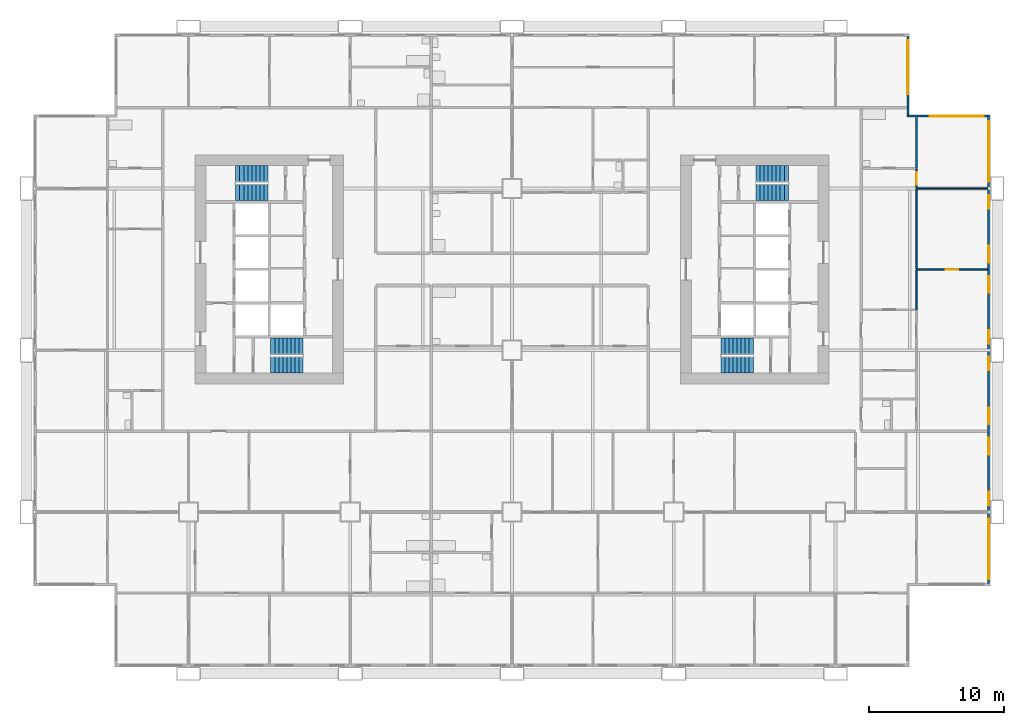
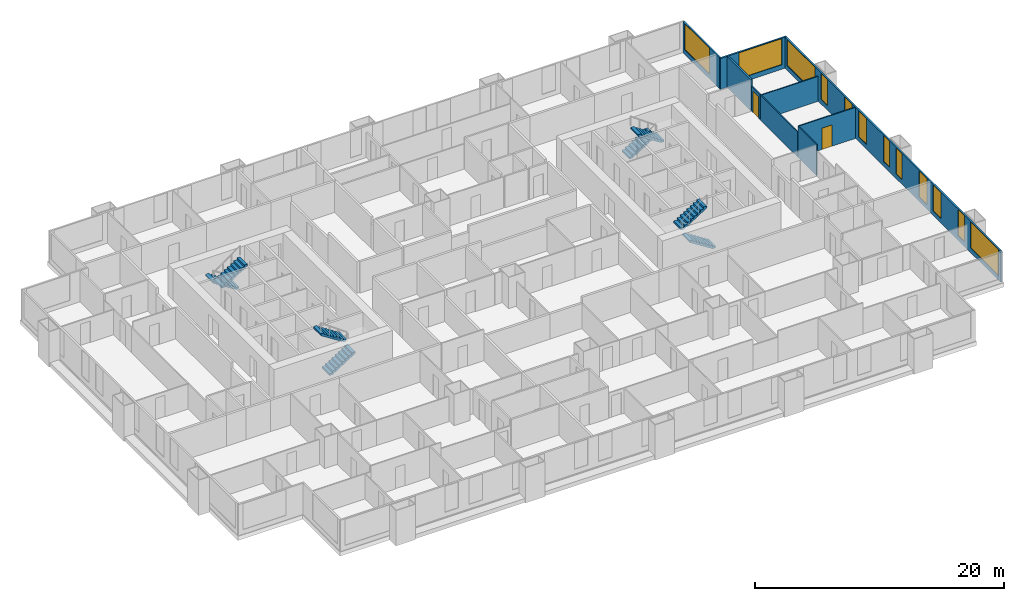
# One storey, part 12 of 14: 12 windows, 9 walls, 8 stair flights, 2 doors, 14 openings, 4 elements without a shape of their own.
"""IFC4 building model written with IfcOpenShell, lengths in metres."""

from ifc_helpers import new_model, si_unit, direction, frame, frame_2d, origin, place, context, subcontext, project, spatial, polyline, rectangle, outline, extrude, material, layer, layer_set, type_object, element, fill, aggregate, save


model = new_model("IFC4")

# Units and contexts
model_context = context("Model", 3, precision=1e-05, world=origin(), true_north=direction((0.0, 1.0)))
body_context = subcontext(model_context, "Body", "Model", "MODEL_VIEW")
ifc_project = project(units=[si_unit("LENGTHUNIT", "METRE"), si_unit("AREAUNIT", "SQUARE_METRE"), si_unit("VOLUMEUNIT", "CUBIC_METRE"), si_unit("PLANEANGLEUNIT", "RADIAN"), si_unit("MASSUNIT", "GRAM", prefix="KILO")], contexts=[model_context])

# Site, building, storey
site_placement = place(None, origin())
site = spatial("IfcSite", under=ifc_project, at=site_placement, CompositionType="ELEMENT")
building_placement = place(site_placement, origin())
building = spatial("IfcBuilding", under=site, at=building_placement, Name="Kitamizu Gate Tower and Museum", CompositionType="ELEMENT")
storey_placement = place(building_placement, frame((0.0, 0.0, 43.800048828125)))
storey = spatial("IfcBuildingStorey", under=building, at=storey_placement, Name="L09", CompositionType="ELEMENT", Elevation=43.800048828125)

# Wall, opening, door
ifc_material_1 = material(Name="Gypsum board on galvanised stud")
ifc_layer_1 = layer(ifc_material_1, 0.10009765625)
ifc_layer_set_1 = layer_set([ifc_layer_1], Name="Gypsum board on galvanised stud")
wall_type_1 = type_object("IfcWallType", Name="Partition 100 NOT RATED", PredefinedType="PARTITIONING", material=ifc_layer_set_1)
wall_1_placement = place(storey_placement, frame((71.280029296875, 30.0, 0.0), z_axis=(0.0, 0.0, 1.0), x_axis=(-1.0, 0.0, 0.0)))
wall_1 = element("IfcWall", 1, at=wall_1_placement, inside=storey, type_object=wall_type_1, Name="Partition L09-191", PredefinedType="PARTITIONING", context=body_context, shape_type="SweptSolid", body=[
    extrude(rectangle(XDim=5.280029296875, YDim=0.10009765625, at=frame_2d((2.64013671875, 0.0))), origin(), (0.0, 0.0, 1.0), 3.050048828125),
])
opening_1_placement = place(wall_1_placement, frame((2.18994140625, 0.0, 0.0)))
opening_1 = element("IfcOpeningElement", 2, at=opening_1_placement, cuts=wall_1, Name="Opening L09-072", PredefinedType="OPENING", context=body_context, shape_type="SweptSolid", body=[
    extrude(rectangle(XDim=0.89990234375, YDim=2.10009765625, at=frame_2d((0.449951171875, 1.050048828125))), frame((0.0, 0.06005859375, 0.0), z_axis=(0.0, -1.0, 0.0), x_axis=(1.0, 0.0, 0.0)), (0.0, 0.0, 1.0), 0.1201171875),
])
ifc_material_2 = material(Name="Timber door set", Category="wood")
door_type = type_object("IfcDoorType", Name="Room door 900", OperationType="NOTDEFINED", PredefinedType="DOOR", material=ifc_material_2)
door_1_placement = place(opening_1_placement, frame((0.89990234375, 0.0, 0.0), x_axis=(-1.0, 0.0, 0.0)))
door_1 = element("IfcDoor", 3, at=door_1_placement, inside=storey, type_object=door_type, Name="Door L09-072", OperationType="SINGLE_SWING_LEFT", OverallHeight=2.10009765625, OverallWidth=0.89990234375, PredefinedType="DOOR", context=body_context, shape_type="SweptSolid", body=[
    extrude(rectangle(XDim=0.89990234375, YDim=2.10009765625, at=frame_2d((0.449951171875, 1.050048828125))), frame((0.0, 0.02490234375, 0.0), z_axis=(0.0, -1.0, 0.0), x_axis=(1.0, 0.0, 0.0)), (0.0, 0.0, 1.0), 0.050048828125),
])
fill(opening_1, door_1)

# Walls
wall_2_placement = place(storey_placement, frame((66.0, 29.949951171875, 0.0), z_axis=(0.0, 0.0, 1.0), x_axis=(0.0, -1.0, 0.0)))
element("IfcWall", 4, at=wall_2_placement, inside=storey, type_object=wall_type_1, Name="Partition L09-196", PredefinedType="PARTITIONING", context=body_context, shape_type="SweptSolid", body=[
    extrude(rectangle(XDim=2.949951171875, YDim=0.10009765625, at=frame_2d((1.47509765625, 0.0))), origin(), (0.0, 0.0, 1.0), 3.050048828125),
])
wall_3_placement = place(storey_placement, frame((71.280029296875, 36.0, 0.0), z_axis=(0.0, 0.0, 1.0), x_axis=(-1.0, 0.0, 0.0)))
element("IfcWall", 5, at=wall_3_placement, inside=storey, type_object=wall_type_1, Name="Partition L09-197", PredefinedType="PARTITIONING", context=body_context, shape_type="SweptSolid", body=[
    extrude(rectangle(XDim=5.280029296875, YDim=0.10009765625, at=frame_2d((2.64013671875, 0.0))), origin(), (0.0, 0.0, 1.0), 2.449951171875),
])
wall_4_placement = place(storey_placement, frame((66.0, 35.949951171875, 0.0), z_axis=(0.0, 0.0, 1.0), x_axis=(0.0, -1.0, 0.0)))
element("IfcWall", 6, at=wall_4_placement, inside=storey, type_object=wall_type_1, Name="Partition L09-198", PredefinedType="PARTITIONING", context=body_context, shape_type="SweptSolid", body=[
    extrude(rectangle(XDim=5.89990234375, YDim=0.10009765625, at=frame_2d((2.949951171875, 0.0))), origin(), (0.0, 0.0, 1.0), 2.449951171875),
])

# Wall, opening, door
wall_5_placement = place(storey_placement, frame((66.0, 37.425048828125, 0.0), z_axis=(0.0, 0.0, 1.0), x_axis=(0.0, -1.0, 0.0)))
wall_5 = element("IfcWall", 7, at=wall_5_placement, inside=storey, type_object=wall_type_1, Name="Partition L09-199", PredefinedType="PARTITIONING", context=body_context, shape_type="SweptSolid", body=[
    extrude(rectangle(XDim=1.375, YDim=0.10009765625, at=frame_2d((0.6875, 0.0))), origin(), (0.0, 0.0, 1.0), 2.449951171875),
])
opening_2_placement = place(wall_5_placement, frame((0.237548828125, 0.0, 0.0)))
opening_2 = element("IfcOpeningElement", 8, at=opening_2_placement, cuts=wall_5, Name="Opening L09-073", PredefinedType="OPENING", context=body_context, shape_type="SweptSolid", body=[
    extrude(rectangle(XDim=0.89990234375, YDim=2.10009765625, at=frame_2d((0.449951171875, 1.050048828125))), frame((0.0, 0.06005859375, 0.0), z_axis=(0.0, -1.0, 0.0), x_axis=(1.0, 0.0, 0.0)), (0.0, 0.0, 1.0), 0.1201171875),
])
door_2_placement = place(opening_2_placement, origin())
door_2 = element("IfcDoor", 9, at=door_2_placement, inside=storey, type_object=door_type, Name="Door L09-073", OperationType="SINGLE_SWING_LEFT", OverallHeight=2.10009765625, OverallWidth=0.89990234375, PredefinedType="DOOR", context=body_context, shape_type="SweptSolid", body=[
    extrude(rectangle(XDim=0.89990234375, YDim=2.10009765625, at=frame_2d((0.449951171875, 1.050048828125))), frame((0.0, 0.02490234375, 0.0), z_axis=(0.0, -1.0, 0.0), x_axis=(1.0, 0.0, 0.0)), (0.0, 0.0, 1.0), 0.050048828125),
])
fill(opening_2, door_2)

# Wall
ifc_material_3 = material(Name="Gypsum board on galvanised stud")
ifc_layer_2 = layer(ifc_material_3, 0.14990234375)
ifc_layer_set_2 = layer_set([ifc_layer_2], Name="Gypsum board on galvanised stud")
wall_type_2 = type_object("IfcWallType", Name="Partition 150", PredefinedType="PARTITIONING", material=ifc_layer_set_2)
wall_6_placement = place(storey_placement, frame((66.0, 41.280029296875, 0.0), z_axis=(0.0, 0.0, 1.0), x_axis=(0.0, -1.0, 0.0)))
element("IfcWall", 10, at=wall_6_placement, inside=storey, type_object=wall_type_2, Name="Partition L09-200", PredefinedType="PARTITIONING", context=body_context, shape_type="SweptSolid", body=[
    extrude(rectangle(XDim=3.780029296875, YDim=0.14990234375, at=frame_2d((1.89013671875, 0.0))), origin(), (0.0, 0.0, 1.0), 3.050048828125),
])

# Wall, openings, windows
ifc_material_4 = material(Name="Bronze anodised aluminium frame with insulated spandrel and tinted glass", Category="aluminium")
ifc_layer_3 = layer(ifc_material_4, 0.14990234375)
ifc_layer_set_3 = layer_set([ifc_layer_3], Name="Bronze anodised aluminium frame with insulated spandrel and tinted glass")
wall_type_3 = type_object("IfcWallType", Name="WINDOW WALL 150 BRONZE FRAME EI 30", PredefinedType="ELEMENTEDWALL", material=ifc_layer_set_3)
wall_7_placement = place(storey_placement, frame((71.364990234375, 6.7099609375, 0.0), z_axis=(0.0, 0.0, 1.0), x_axis=(0.0, 1.0, 0.0)))
wall_7 = element("IfcWall", 11, at=wall_7_placement, inside=storey, type_object=wall_type_3, Name="Window wall east L09", PredefinedType="ELEMENTEDWALL", context=body_context, shape_type="SweptSolid", body=[
    extrude(rectangle(XDim=34.580078125, YDim=0.14990234375, at=frame_2d((17.2900390625, 0.0))), origin(), (0.0, 0.0, 1.0), 3.050048828125),
])
opening_3_placement = place(wall_7_placement, frame((0.2900390625, 0.0, 0.449951171875)))
opening_3 = element("IfcOpeningElement", 12, at=opening_3_placement, cuts=wall_7, Name="Opening W15", PredefinedType="OPENING", context=body_context, shape_type="SweptSolid", body=[
    extrude(rectangle(XDim=4.5, YDim=2.550048828125, at=frame_2d((2.25, 1.27490234375))), frame((0.0, 0.0849609375, 0.0), z_axis=(0.0, -1.0, 0.0), x_axis=(1.0, 0.0, 0.0)), (0.0, 0.0, 1.0), 0.169921875),
])
opening_4_placement = place(wall_7_placement, frame((5.7900390625, 0.0, 0.449951171875)))
opening_4 = element("IfcOpeningElement", 13, at=opening_4_placement, cuts=wall_7, Name="Opening W26", PredefinedType="OPENING", context=body_context, shape_type="SweptSolid", body=[
    extrude(rectangle(XDim=1.0, YDim=2.550048828125, at=frame_2d((0.5, 1.27490234375))), frame((0.0, 0.0849609375, 0.0), z_axis=(0.0, -1.0, 0.0), x_axis=(1.0, 0.0, 0.0)), (0.0, 0.0, 1.0), 0.169921875),
])
opening_5_placement = place(wall_7_placement, frame((9.5400390625, 0.0, 0.449951171875)))
opening_5 = element("IfcOpeningElement", 14, at=opening_5_placement, cuts=wall_7, Name="Opening W27", PredefinedType="OPENING", context=body_context, shape_type="SweptSolid", body=[
    extrude(rectangle(XDim=1.25, YDim=2.550048828125, at=frame_2d((0.625, 1.27490234375))), frame((0.0, 0.0849609375, 0.0), z_axis=(0.0, -1.0, 0.0), x_axis=(1.0, 0.0, 0.0)), (0.0, 0.0, 1.0), 0.169921875),
])
opening_6_placement = place(wall_7_placement, frame((11.7900390625, 0.0, 0.449951171875)))
opening_6 = element("IfcOpeningElement", 15, at=opening_6_placement, cuts=wall_7, Name="Opening W27", PredefinedType="OPENING", context=body_context, shape_type="SweptSolid", body=[
    extrude(rectangle(XDim=1.25, YDim=2.550048828125, at=frame_2d((0.625, 1.27490234375))), frame((0.0, 0.0849609375, 0.0), z_axis=(0.0, -1.0, 0.0), x_axis=(1.0, 0.0, 0.0)), (0.0, 0.0, 1.0), 0.169921875),
])
opening_7_placement = place(wall_7_placement, frame((15.7900390625, 0.0, 0.449951171875)))
opening_7 = element("IfcOpeningElement", 16, at=opening_7_placement, cuts=wall_7, Name="Opening W26", PredefinedType="OPENING", context=body_context, shape_type="SweptSolid", body=[
    extrude(rectangle(XDim=1.0, YDim=2.550048828125, at=frame_2d((0.5, 1.27490234375))), frame((0.0, 0.0849609375, 0.0), z_axis=(0.0, -1.0, 0.0), x_axis=(1.0, 0.0, 0.0)), (0.0, 0.0, 1.0), 0.169921875),
])
opening_8_placement = place(wall_7_placement, frame((17.7900390625, 0.0, 0.449951171875)))
opening_8 = element("IfcOpeningElement", 17, at=opening_8_placement, cuts=wall_7, Name="Opening W26", PredefinedType="OPENING", context=body_context, shape_type="SweptSolid", body=[
    extrude(rectangle(XDim=1.0, YDim=2.550048828125, at=frame_2d((0.5, 1.27490234375))), frame((0.0, 0.0849609375, 0.0), z_axis=(0.0, -1.0, 0.0), x_axis=(1.0, 0.0, 0.0)), (0.0, 0.0, 1.0), 0.169921875),
])
opening_9_placement = place(wall_7_placement, frame((21.5400390625, 0.0, 0.449951171875)))
opening_9 = element("IfcOpeningElement", 18, at=opening_9_placement, cuts=wall_7, Name="Opening W27", PredefinedType="OPENING", context=body_context, shape_type="SweptSolid", body=[
    extrude(rectangle(XDim=1.25, YDim=2.550048828125, at=frame_2d((0.625, 1.27490234375))), frame((0.0, 0.0849609375, 0.0), z_axis=(0.0, -1.0, 0.0), x_axis=(1.0, 0.0, 0.0)), (0.0, 0.0, 1.0), 0.169921875),
])
opening_10_placement = place(wall_7_placement, frame((23.7900390625, 0.0, 0.449951171875)))
opening_10 = element("IfcOpeningElement", 19, at=opening_10_placement, cuts=wall_7, Name="Opening W27", PredefinedType="OPENING", context=body_context, shape_type="SweptSolid", body=[
    extrude(rectangle(XDim=1.25, YDim=2.550048828125, at=frame_2d((0.625, 1.27490234375))), frame((0.0, 0.0849609375, 0.0), z_axis=(0.0, -1.0, 0.0), x_axis=(1.0, 0.0, 0.0)), (0.0, 0.0, 1.0), 0.169921875),
])
opening_11_placement = place(wall_7_placement, frame((27.7900390625, 0.0, 0.449951171875)))
opening_11 = element("IfcOpeningElement", 20, at=opening_11_placement, cuts=wall_7, Name="Opening W26", PredefinedType="OPENING", context=body_context, shape_type="SweptSolid", body=[
    extrude(rectangle(XDim=1.0, YDim=2.550048828125, at=frame_2d((0.5, 1.27490234375))), frame((0.0, 0.0849609375, 0.0), z_axis=(0.0, -1.0, 0.0), x_axis=(1.0, 0.0, 0.0)), (0.0, 0.0, 1.0), 0.169921875),
])
opening_12_placement = place(wall_7_placement, frame((29.7900390625, 0.0, 0.449951171875)))
opening_12 = element("IfcOpeningElement", 21, at=opening_12_placement, cuts=wall_7, Name="Opening W15", PredefinedType="OPENING", context=body_context, shape_type="SweptSolid", body=[
    extrude(rectangle(XDim=4.5, YDim=2.550048828125, at=frame_2d((2.25, 1.27490234375))), frame((0.0, 0.0849609375, 0.0), z_axis=(0.0, -1.0, 0.0), x_axis=(1.0, 0.0, 0.0)), (0.0, 0.0, 1.0), 0.169921875),
])
ifc_material_5 = material(Name="Bronze anodised aluminium frame, tinted triple glazing", Category="aluminium")
window_type_1 = type_object("IfcWindowType", Name="WINDOW 1000 x 2550 SILL 450", PartitioningType="SINGLE_PANEL", PredefinedType="WINDOW", material=ifc_material_5)
window_1_placement = place(opening_4_placement, origin())
window_1 = element("IfcWindow", 22, at=window_1_placement, inside=storey, type_object=window_type_1, Name="Window W26 L09", OverallHeight=2.550048828125, OverallWidth=1.0, PartitioningType="SINGLE_PANEL", PredefinedType="WINDOW", context=body_context, shape_type="SweptSolid", body=[
    extrude(rectangle(XDim=1.0, YDim=2.550048828125, at=frame_2d((0.5, 1.27490234375))), frame((0.0, 0.030029296875, 0.0), z_axis=(0.0, -1.0, 0.0), x_axis=(1.0, 0.0, 0.0)), (0.0, 0.0, 1.0), 0.06005859375),
])
fill(opening_4, window_1)
window_2_placement = place(opening_7_placement, origin())
window_2 = element("IfcWindow", 23, at=window_2_placement, inside=storey, type_object=window_type_1, Name="Window W26 L09", OverallHeight=2.550048828125, OverallWidth=1.0, PartitioningType="SINGLE_PANEL", PredefinedType="WINDOW", context=body_context, shape_type="SweptSolid", body=[
    extrude(rectangle(XDim=1.0, YDim=2.550048828125, at=frame_2d((0.5, 1.27490234375))), frame((0.0, 0.030029296875, 0.0), z_axis=(0.0, -1.0, 0.0), x_axis=(1.0, 0.0, 0.0)), (0.0, 0.0, 1.0), 0.06005859375),
])
fill(opening_7, window_2)
window_3_placement = place(opening_8_placement, origin())
window_3 = element("IfcWindow", 24, at=window_3_placement, inside=storey, type_object=window_type_1, Name="Window W26 L09", OverallHeight=2.550048828125, OverallWidth=1.0, PartitioningType="SINGLE_PANEL", PredefinedType="WINDOW", context=body_context, shape_type="SweptSolid", body=[
    extrude(rectangle(XDim=1.0, YDim=2.550048828125, at=frame_2d((0.5, 1.27490234375))), frame((0.0, 0.030029296875, 0.0), z_axis=(0.0, -1.0, 0.0), x_axis=(1.0, 0.0, 0.0)), (0.0, 0.0, 1.0), 0.06005859375),
])
fill(opening_8, window_3)
window_4_placement = place(opening_11_placement, origin())
window_4 = element("IfcWindow", 25, at=window_4_placement, inside=storey, type_object=window_type_1, Name="Window W26 L09", OverallHeight=2.550048828125, OverallWidth=1.0, PartitioningType="SINGLE_PANEL", PredefinedType="WINDOW", context=body_context, shape_type="SweptSolid", body=[
    extrude(rectangle(XDim=1.0, YDim=2.550048828125, at=frame_2d((0.5, 1.27490234375))), frame((0.0, 0.030029296875, 0.0), z_axis=(0.0, -1.0, 0.0), x_axis=(1.0, 0.0, 0.0)), (0.0, 0.0, 1.0), 0.06005859375),
])
fill(opening_11, window_4)
ifc_material_6 = material(Name="Bronze anodised aluminium frame, tinted triple glazing", Category="aluminium")
window_type_2 = type_object("IfcWindowType", Name="WINDOW 1250 x 2550 SILL 450", PartitioningType="SINGLE_PANEL", PredefinedType="WINDOW", material=ifc_material_6)
window_5_placement = place(opening_5_placement, origin())
window_5 = element("IfcWindow", 26, at=window_5_placement, inside=storey, type_object=window_type_2, Name="Window W27 L09", OverallHeight=2.550048828125, OverallWidth=1.25, PartitioningType="SINGLE_PANEL", PredefinedType="WINDOW", context=body_context, shape_type="SweptSolid", body=[
    extrude(rectangle(XDim=1.25, YDim=2.550048828125, at=frame_2d((0.625, 1.27490234375))), frame((0.0, 0.030029296875, 0.0), z_axis=(0.0, -1.0, 0.0), x_axis=(1.0, 0.0, 0.0)), (0.0, 0.0, 1.0), 0.06005859375),
])
fill(opening_5, window_5)
window_6_placement = place(opening_6_placement, origin())
window_6 = element("IfcWindow", 27, at=window_6_placement, inside=storey, type_object=window_type_2, Name="Window W27 L09", OverallHeight=2.550048828125, OverallWidth=1.25, PartitioningType="SINGLE_PANEL", PredefinedType="WINDOW", context=body_context, shape_type="SweptSolid", body=[
    extrude(rectangle(XDim=1.25, YDim=2.550048828125, at=frame_2d((0.625, 1.27490234375))), frame((0.0, 0.030029296875, 0.0), z_axis=(0.0, -1.0, 0.0), x_axis=(1.0, 0.0, 0.0)), (0.0, 0.0, 1.0), 0.06005859375),
])
fill(opening_6, window_6)
window_7_placement = place(opening_9_placement, origin())
window_7 = element("IfcWindow", 28, at=window_7_placement, inside=storey, type_object=window_type_2, Name="Window W27 L09", OverallHeight=2.550048828125, OverallWidth=1.25, PartitioningType="SINGLE_PANEL", PredefinedType="WINDOW", context=body_context, shape_type="SweptSolid", body=[
    extrude(rectangle(XDim=1.25, YDim=2.550048828125, at=frame_2d((0.625, 1.27490234375))), frame((0.0, 0.030029296875, 0.0), z_axis=(0.0, -1.0, 0.0), x_axis=(1.0, 0.0, 0.0)), (0.0, 0.0, 1.0), 0.06005859375),
])
fill(opening_9, window_7)
window_8_placement = place(opening_10_placement, origin())
window_8 = element("IfcWindow", 29, at=window_8_placement, inside=storey, type_object=window_type_2, Name="Window W27 L09", OverallHeight=2.550048828125, OverallWidth=1.25, PartitioningType="SINGLE_PANEL", PredefinedType="WINDOW", context=body_context, shape_type="SweptSolid", body=[
    extrude(rectangle(XDim=1.25, YDim=2.550048828125, at=frame_2d((0.625, 1.27490234375))), frame((0.0, 0.030029296875, 0.0), z_axis=(0.0, -1.0, 0.0), x_axis=(1.0, 0.0, 0.0)), (0.0, 0.0, 1.0), 0.06005859375),
])
fill(opening_10, window_8)
ifc_material_7 = material(Name="Bronze anodised aluminium frame, tinted triple glazing", Category="aluminium")
window_type_3 = type_object("IfcWindowType", Name="WINDOW 4500 x 2550 SILL 450", PartitioningType="SINGLE_PANEL", PredefinedType="WINDOW", material=ifc_material_7)
window_9_placement = place(opening_3_placement, origin())
window_9 = element("IfcWindow", 30, at=window_9_placement, inside=storey, type_object=window_type_3, Name="Window W15 L09", OverallHeight=2.550048828125, OverallWidth=4.5, PartitioningType="SINGLE_PANEL", PredefinedType="WINDOW", context=body_context, shape_type="SweptSolid", body=[
    extrude(rectangle(XDim=4.5, YDim=2.550048828125, at=frame_2d((2.25, 1.27490234375))), frame((0.0, 0.030029296875, 0.0), z_axis=(0.0, -1.0, 0.0), x_axis=(1.0, 0.0, 0.0)), (0.0, 0.0, 1.0), 0.06005859375),
])
fill(opening_3, window_9)
window_10_placement = place(opening_12_placement, origin())
window_10 = element("IfcWindow", 31, at=window_10_placement, inside=storey, type_object=window_type_3, Name="Window W15 L09", OverallHeight=2.550048828125, OverallWidth=4.5, PartitioningType="SINGLE_PANEL", PredefinedType="WINDOW", context=body_context, shape_type="SweptSolid", body=[
    extrude(rectangle(XDim=4.5, YDim=2.550048828125, at=frame_2d((2.25, 1.27490234375))), frame((0.0, 0.030029296875, 0.0), z_axis=(0.0, -1.0, 0.0), x_axis=(1.0, 0.0, 0.0)), (0.0, 0.0, 1.0), 0.06005859375),
])
fill(opening_12, window_10)

# Wall, opening, window
wall_8_placement = place(storey_placement, frame((65.2900390625, 41.364990234375, 0.0), z_axis=(0.0, 0.0, 1.0), x_axis=(1.0, 0.0, 0.0)))
wall_8 = element("IfcWall", 32, at=wall_8_placement, inside=storey, type_object=wall_type_3, Name="Window wall north L09", PredefinedType="ELEMENTEDWALL", context=body_context, shape_type="SweptSolid", body=[
    extrude(rectangle(XDim=6.14990234375, YDim=0.14990234375, at=frame_2d((3.074951171875, 0.0))), origin(), (0.0, 0.0, 1.0), 3.050048828125),
])
opening_13_placement = place(wall_8_placement, frame((1.7099609375, 0.0, 0.449951171875)))
opening_13 = element("IfcOpeningElement", 33, at=opening_13_placement, cuts=wall_8, Name="Opening W16", PredefinedType="OPENING", context=body_context, shape_type="SweptSolid", body=[
    extrude(rectangle(XDim=4.0, YDim=2.550048828125, at=frame_2d((2.0, 1.27490234375))), frame((0.0, 0.0849609375, 0.0), z_axis=(0.0, -1.0, 0.0), x_axis=(1.0, 0.0, 0.0)), (0.0, 0.0, 1.0), 0.169921875),
])
ifc_material_8 = material(Name="Bronze anodised aluminium frame, tinted triple glazing", Category="aluminium")
window_type_4 = type_object("IfcWindowType", Name="WINDOW 4000 x 2550 SILL 450", PartitioningType="SINGLE_PANEL", PredefinedType="WINDOW", material=ifc_material_8)
window_11_placement = place(opening_13_placement, origin())
window_11 = element("IfcWindow", 34, at=window_11_placement, inside=storey, type_object=window_type_4, Name="Window W16 L09", OverallHeight=2.550048828125, OverallWidth=4.0, PartitioningType="SINGLE_PANEL", PredefinedType="WINDOW", context=body_context, shape_type="SweptSolid", body=[
    extrude(rectangle(XDim=4.0, YDim=2.550048828125, at=frame_2d((2.0, 1.27490234375))), frame((0.0, 0.030029296875, 0.0), z_axis=(0.0, -1.0, 0.0), x_axis=(1.0, 0.0, 0.0)), (0.0, 0.0, 1.0), 0.06005859375),
])
fill(opening_13, window_11)

wall_9_placement = place(storey_placement, frame((65.364990234375, 41.43994140625, 0.0), z_axis=(0.0, 0.0, 1.0), x_axis=(0.0, 1.0, 0.0)))
wall_9 = element("IfcWall", 35, at=wall_9_placement, inside=storey, type_object=wall_type_3, Name="Window wall east L09", PredefinedType="ELEMENTEDWALL", context=body_context, shape_type="SweptSolid", body=[
    extrude(rectangle(XDim=5.85009765625, YDim=0.14990234375, at=frame_2d((2.925048828125, 0.0))), origin(), (0.0, 0.0, 1.0), 3.050048828125),
])
opening_14_placement = place(wall_9_placement, frame((1.56005859375, 0.0, 0.449951171875)))
opening_14 = element("IfcOpeningElement", 36, at=opening_14_placement, cuts=wall_9, Name="Opening W16", PredefinedType="OPENING", context=body_context, shape_type="SweptSolid", body=[
    extrude(rectangle(XDim=4.0, YDim=2.550048828125, at=frame_2d((2.0, 1.27490234375))), frame((0.0, 0.0849609375, 0.0), z_axis=(0.0, -1.0, 0.0), x_axis=(1.0, 0.0, 0.0)), (0.0, 0.0, 1.0), 0.169921875),
])
window_12_placement = place(opening_14_placement, origin())
window_12 = element("IfcWindow", 37, at=window_12_placement, inside=storey, type_object=window_type_4, Name="Window W16 L09", OverallHeight=2.550048828125, OverallWidth=4.0, PartitioningType="SINGLE_PANEL", PredefinedType="WINDOW", context=body_context, shape_type="SweptSolid", body=[
    extrude(rectangle(XDim=4.0, YDim=2.550048828125, at=frame_2d((2.0, 1.27490234375))), frame((0.0, 0.030029296875, 0.0), z_axis=(0.0, -1.0, 0.0), x_axis=(1.0, 0.0, 0.0)), (0.0, 0.0, 1.0), 0.06005859375),
])
fill(opening_14, window_12)

# Stair, stair flights
ifc_material_9 = material(Name="Concrete Fc42", Category="concrete")
stair_type = type_object("IfcStairType", Name="Exit stair 1200 wide 192 rise 300 going", PredefinedType="HALF_TURN_STAIR", material=ifc_material_9)
stair_1_placement = place(storey_placement, origin())
stair_1 = element("IfcStair", 38, at=stair_1_placement, inside=storey, type_object=stair_type, Name="Exit stair ST1", PredefinedType="HALF_TURN_STAIR")
ifc_material_10 = material(Name="Concrete Fc42", Category="concrete")
stair_flight_type = type_object("IfcStairFlightType", Name="Stair flight 1200 wide 192 rise 300 going", PredefinedType="STRAIGHT", material=ifc_material_10)
stair_flight_1_placement = place(storey_placement, frame((18.10009765625, 22.89990234375, 0.0), z_axis=(0.0, 0.0, 1.0), x_axis=(1.0, 0.0, 0.0)))
stair_flight_1 = element("IfcStairFlight", 39, at=stair_flight_1_placement, type_object=stair_flight_type, Name="ST1 flight 1", NumberOfRisers=9, NumberOfTreads=8, PredefinedType="STRAIGHT", RiserHeight=0.191666667, TreadLength=0.3, context=body_context, shape_type="SweptSolid", body=[
    extrude(outline(polyline([(0.0, 0.0), (0.0, 0.191650390625), (0.300048828125, 0.191650390625), (0.300048828125, 0.38330078125), (0.60009765625, 0.38330078125), (0.60009765625, 0.574951171875), (0.89990234375, 0.574951171875), (0.89990234375, 0.7666015625), (1.199951171875, 0.7666015625), (1.199951171875, 0.958251953125), (1.5, 0.958251953125), (1.5, 1.14990234375), (1.800048828125, 1.14990234375), (1.800048828125, 1.341552734375), (2.10009765625, 1.341552734375), (2.10009765625, 1.533447265625), (2.39990234375, 1.533447265625), (2.39990234375, 1.72509765625), (2.39990234375, 1.35546875), (0.2783203125, 0.0), (0.0, 0.0)])), frame((0.0, 0.60009765625, 0.0), z_axis=(0.0, -1.0, 0.0), x_axis=(1.0, 0.0, 0.0)), (0.0, 0.0, 1.0), 1.199951171875),
])
stair_flight_2_placement = place(storey_placement, frame((20.5, 24.300048828125, 1.724853515625), z_axis=(0.0, 0.0, 1.0), x_axis=(-1.0, 0.0, 0.0)))
stair_flight_2 = element("IfcStairFlight", 40, at=stair_flight_2_placement, type_object=stair_flight_type, Name="ST1 flight 2", NumberOfRisers=9, NumberOfTreads=8, PredefinedType="STRAIGHT", RiserHeight=0.191666667, TreadLength=0.3, context=body_context, shape_type="SweptSolid", body=[
    extrude(outline(polyline([(0.0, 0.0), (0.0, 0.191650390625), (0.300048828125, 0.191650390625), (0.300048828125, 0.38330078125), (0.60009765625, 0.38330078125), (0.60009765625, 0.574951171875), (0.89990234375, 0.574951171875), (0.89990234375, 0.7666015625), (1.199951171875, 0.7666015625), (1.199951171875, 0.958251953125), (1.5, 0.958251953125), (1.5, 1.14990234375), (1.800048828125, 1.14990234375), (1.800048828125, 1.341552734375), (2.10009765625, 1.341552734375), (2.10009765625, 1.533447265625), (2.39990234375, 1.533447265625), (2.39990234375, 1.72509765625), (2.39990234375, 1.35546875), (0.2783203125, 0.0), (0.0, 0.0)])), frame((0.0, 0.60009765625, 0.0), z_axis=(0.0, -1.0, 0.0), x_axis=(1.0, 0.0, 0.0)), (0.0, 0.0, 1.0), 1.199951171875),
])
aggregate(stair_1, [stair_flight_1, stair_flight_2])

stair_2_placement = place(storey_placement, origin())
stair_2 = element("IfcStair", 41, at=stair_2_placement, inside=storey, type_object=stair_type, Name="Exit stair ST2", PredefinedType="HALF_TURN_STAIR")
stair_flight_3_placement = place(storey_placement, frame((17.89990234375, 37.10009765625, 0.0), z_axis=(0.0, 0.0, 1.0), x_axis=(-1.0, 0.0, 0.0)))
stair_flight_3 = element("IfcStairFlight", 42, at=stair_flight_3_placement, type_object=stair_flight_type, Name="ST2 flight 1", NumberOfRisers=9, NumberOfTreads=8, PredefinedType="STRAIGHT", RiserHeight=0.191666667, TreadLength=0.3, context=body_context, shape_type="SweptSolid", body=[
    extrude(outline(polyline([(0.0, 0.0), (0.0, 0.191650390625), (0.300048828125, 0.191650390625), (0.300048828125, 0.38330078125), (0.60009765625, 0.38330078125), (0.60009765625, 0.574951171875), (0.89990234375, 0.574951171875), (0.89990234375, 0.7666015625), (1.199951171875, 0.7666015625), (1.199951171875, 0.958251953125), (1.5, 0.958251953125), (1.5, 1.14990234375), (1.800048828125, 1.14990234375), (1.800048828125, 1.341552734375), (2.10009765625, 1.341552734375), (2.10009765625, 1.533447265625), (2.39990234375, 1.533447265625), (2.39990234375, 1.72509765625), (2.39990234375, 1.35546875), (0.2783203125, 0.0), (0.0, 0.0)])), frame((0.0, 0.60009765625, 0.0), z_axis=(0.0, -1.0, 0.0), x_axis=(1.0, 0.0, 0.0)), (0.0, 0.0, 1.0), 1.199951171875),
])
stair_flight_4_placement = place(storey_placement, frame((15.5, 35.699951171875, 1.724853515625), z_axis=(0.0, 0.0, 1.0), x_axis=(1.0, 0.0, 0.0)))
stair_flight_4 = element("IfcStairFlight", 43, at=stair_flight_4_placement, type_object=stair_flight_type, Name="ST2 flight 2", NumberOfRisers=9, NumberOfTreads=8, PredefinedType="STRAIGHT", RiserHeight=0.191666667, TreadLength=0.3, context=body_context, shape_type="SweptSolid", body=[
    extrude(outline(polyline([(0.0, 0.0), (0.0, 0.191650390625), (0.300048828125, 0.191650390625), (0.300048828125, 0.38330078125), (0.60009765625, 0.38330078125), (0.60009765625, 0.574951171875), (0.89990234375, 0.574951171875), (0.89990234375, 0.7666015625), (1.199951171875, 0.7666015625), (1.199951171875, 0.958251953125), (1.5, 0.958251953125), (1.5, 1.14990234375), (1.800048828125, 1.14990234375), (1.800048828125, 1.341552734375), (2.10009765625, 1.341552734375), (2.10009765625, 1.533447265625), (2.39990234375, 1.533447265625), (2.39990234375, 1.72509765625), (2.39990234375, 1.35546875), (0.2783203125, 0.0), (0.0, 0.0)])), frame((0.0, 0.60009765625, 0.0), z_axis=(0.0, -1.0, 0.0), x_axis=(1.0, 0.0, 0.0)), (0.0, 0.0, 1.0), 1.199951171875),
])
aggregate(stair_2, [stair_flight_3, stair_flight_4])

stair_3_placement = place(storey_placement, origin())
stair_3 = element("IfcStair", 44, at=stair_3_placement, inside=storey, type_object=stair_type, Name="Exit stair ST3", PredefinedType="HALF_TURN_STAIR")
stair_flight_5_placement = place(storey_placement, frame((53.89990234375, 22.89990234375, 0.0), z_axis=(0.0, 0.0, 1.0), x_axis=(-1.0, 0.0, 0.0)))
stair_flight_5 = element("IfcStairFlight", 45, at=stair_flight_5_placement, type_object=stair_flight_type, Name="ST3 flight 1", NumberOfRisers=9, NumberOfTreads=8, PredefinedType="STRAIGHT", RiserHeight=0.191666667, TreadLength=0.3, context=body_context, shape_type="SweptSolid", body=[
    extrude(outline(polyline([(0.0, 0.0), (0.0, 0.191650390625), (0.300048828125, 0.191650390625), (0.300048828125, 0.38330078125), (0.60009765625, 0.38330078125), (0.60009765625, 0.574951171875), (0.89990234375, 0.574951171875), (0.89990234375, 0.7666015625), (1.199951171875, 0.7666015625), (1.199951171875, 0.958251953125), (1.5, 0.958251953125), (1.5, 1.14990234375), (1.800048828125, 1.14990234375), (1.800048828125, 1.341552734375), (2.10009765625, 1.341552734375), (2.10009765625, 1.533447265625), (2.39990234375, 1.533447265625), (2.39990234375, 1.72509765625), (2.39990234375, 1.35546875), (0.2783203125, 0.0), (0.0, 0.0)])), frame((0.0, 0.60009765625, 0.0), z_axis=(0.0, -1.0, 0.0), x_axis=(1.0, 0.0, 0.0)), (0.0, 0.0, 1.0), 1.199951171875),
])
stair_flight_6_placement = place(storey_placement, frame((51.5, 24.300048828125, 1.724853515625), z_axis=(0.0, 0.0, 1.0), x_axis=(1.0, 0.0, 0.0)))
stair_flight_6 = element("IfcStairFlight", 46, at=stair_flight_6_placement, type_object=stair_flight_type, Name="ST3 flight 2", NumberOfRisers=9, NumberOfTreads=8, PredefinedType="STRAIGHT", RiserHeight=0.191666667, TreadLength=0.3, context=body_context, shape_type="SweptSolid", body=[
    extrude(outline(polyline([(0.0, 0.0), (0.0, 0.191650390625), (0.300048828125, 0.191650390625), (0.300048828125, 0.38330078125), (0.60009765625, 0.38330078125), (0.60009765625, 0.574951171875), (0.89990234375, 0.574951171875), (0.89990234375, 0.7666015625), (1.199951171875, 0.7666015625), (1.199951171875, 0.958251953125), (1.5, 0.958251953125), (1.5, 1.14990234375), (1.800048828125, 1.14990234375), (1.800048828125, 1.341552734375), (2.10009765625, 1.341552734375), (2.10009765625, 1.533447265625), (2.39990234375, 1.533447265625), (2.39990234375, 1.72509765625), (2.39990234375, 1.35546875), (0.2783203125, 0.0), (0.0, 0.0)])), frame((0.0, 0.60009765625, 0.0), z_axis=(0.0, -1.0, 0.0), x_axis=(1.0, 0.0, 0.0)), (0.0, 0.0, 1.0), 1.199951171875),
])
aggregate(stair_3, [stair_flight_5, stair_flight_6])

stair_4_placement = place(storey_placement, origin())
stair_4 = element("IfcStair", 47, at=stair_4_placement, inside=storey, type_object=stair_type, Name="Exit stair ST4", PredefinedType="HALF_TURN_STAIR")
stair_flight_7_placement = place(storey_placement, frame((54.10009765625, 37.10009765625, 0.0), z_axis=(0.0, 0.0, 1.0), x_axis=(1.0, 0.0, 0.0)))
stair_flight_7 = element("IfcStairFlight", 48, at=stair_flight_7_placement, type_object=stair_flight_type, Name="ST4 flight 1", NumberOfRisers=9, NumberOfTreads=8, PredefinedType="STRAIGHT", RiserHeight=0.191666667, TreadLength=0.3, context=body_context, shape_type="SweptSolid", body=[
    extrude(outline(polyline([(0.0, 0.0), (0.0, 0.191650390625), (0.300048828125, 0.191650390625), (0.300048828125, 0.38330078125), (0.60009765625, 0.38330078125), (0.60009765625, 0.574951171875), (0.89990234375, 0.574951171875), (0.89990234375, 0.7666015625), (1.199951171875, 0.7666015625), (1.199951171875, 0.958251953125), (1.5, 0.958251953125), (1.5, 1.14990234375), (1.800048828125, 1.14990234375), (1.800048828125, 1.341552734375), (2.10009765625, 1.341552734375), (2.10009765625, 1.533447265625), (2.39990234375, 1.533447265625), (2.39990234375, 1.72509765625), (2.39990234375, 1.35546875), (0.2783203125, 0.0), (0.0, 0.0)])), frame((0.0, 0.60009765625, 0.0), z_axis=(0.0, -1.0, 0.0), x_axis=(1.0, 0.0, 0.0)), (0.0, 0.0, 1.0), 1.199951171875),
])
stair_flight_8_placement = place(storey_placement, frame((56.5, 35.699951171875, 1.724853515625), z_axis=(0.0, 0.0, 1.0), x_axis=(-1.0, 0.0, 0.0)))
stair_flight_8 = element("IfcStairFlight", 49, at=stair_flight_8_placement, type_object=stair_flight_type, Name="ST4 flight 2", NumberOfRisers=9, NumberOfTreads=8, PredefinedType="STRAIGHT", RiserHeight=0.191666667, TreadLength=0.3, context=body_context, shape_type="SweptSolid", body=[
    extrude(outline(polyline([(0.0, 0.0), (0.0, 0.191650390625), (0.300048828125, 0.191650390625), (0.300048828125, 0.38330078125), (0.60009765625, 0.38330078125), (0.60009765625, 0.574951171875), (0.89990234375, 0.574951171875), (0.89990234375, 0.7666015625), (1.199951171875, 0.7666015625), (1.199951171875, 0.958251953125), (1.5, 0.958251953125), (1.5, 1.14990234375), (1.800048828125, 1.14990234375), (1.800048828125, 1.341552734375), (2.10009765625, 1.341552734375), (2.10009765625, 1.533447265625), (2.39990234375, 1.533447265625), (2.39990234375, 1.72509765625), (2.39990234375, 1.35546875), (0.2783203125, 0.0), (0.0, 0.0)])), frame((0.0, 0.60009765625, 0.0), z_axis=(0.0, -1.0, 0.0), x_axis=(1.0, 0.0, 0.0)), (0.0, 0.0, 1.0), 1.199951171875),
])
aggregate(stair_4, [stair_flight_7, stair_flight_8])

save(model, "model.ifc")
